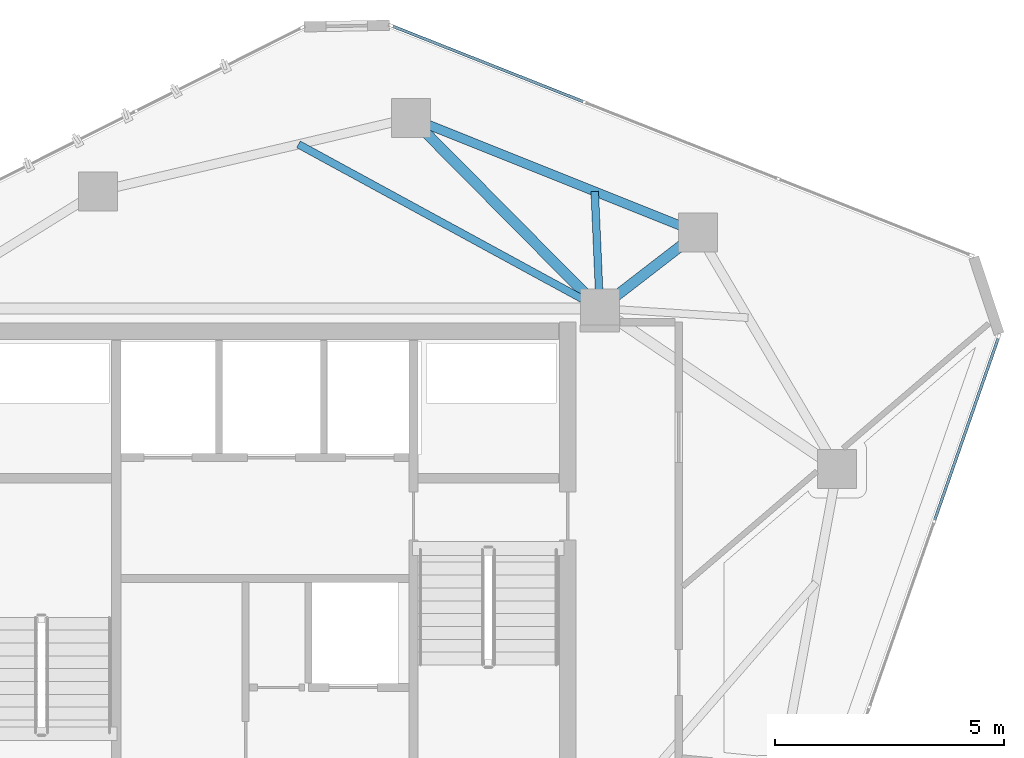
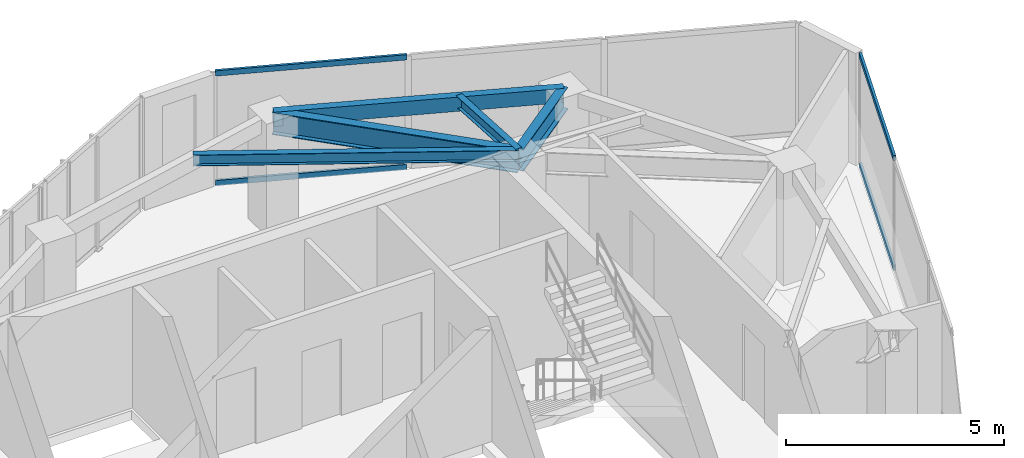
# One storey, part 13 of 21: 5 beams, 4 members, 2 elements without a shape of their own.
"""IFC4 building model written with IfcOpenShell, lengths in metres."""

from ifc_helpers import new_model, si_unit, direction, frame, origin, origin_2d, place, context, subcontext, project, spatial, hollow_rectangle, i_section, extrude, source, transform, mapped, material, layer, layer_set, material_profile, profile_set, type_object, type_shapes, element, aggregate, save


model = new_model("IFC4")

# Units and contexts
model_context = context("Model", 3, precision=1e-05, world=origin(), true_north=direction((0.0, 1.0)))
body_context = subcontext(model_context, "Body", "Model", "MODEL_VIEW")
ifc_project = project(units=[si_unit("LENGTHUNIT", "METRE"), si_unit("AREAUNIT", "SQUARE_METRE"), si_unit("VOLUMEUNIT", "CUBIC_METRE"), si_unit("PLANEANGLEUNIT", "RADIAN"), si_unit("MASSUNIT", "GRAM", prefix="KILO")], contexts=[model_context])

# Site, building, storey
site_placement = place(None, origin())
site = spatial("IfcSite", under=ifc_project, at=site_placement, CompositionType="ELEMENT")
building_placement = place(site_placement, origin())
building = spatial("IfcBuilding", under=site, at=building_placement, Name="Talar Marvaseh", CompositionType="ELEMENT")
storey_placement = place(building_placement, frame((0.0, 0.0, 264.60009765625)))
storey = spatial("IfcBuildingStorey", under=building, at=storey_placement, Name="L70", CompositionType="ELEMENT", Elevation=264.60009765625)

# Beams
ifc_material_1 = material(Name="Steel S355", Category="steel")
ifc_material_profile_1 = material_profile(ifc_material_1, hollow_rectangle(XDim=0.199951171875, YDim=0.39990234375, WallThickness=0.013916015625, at=origin_2d()), Name="RHS400x200x14")
ifc_profile_set_1 = profile_set([ifc_material_profile_1], Name="Steel S355")
beam_type_1 = type_object("IfcBeamType", Name="Zone 3 Perimeter Spandrel Beam RHS400x200x14", PredefinedType="SPANDREL", material=ifc_profile_set_1)
beam_1_placement = place(storey_placement, frame((29.18798828125, 41.052001953125, 2.93994140625), z_axis=(0.928426659475, -0.371515730456, 0.0), x_axis=(0.371515730456, 0.928426659475, 0.0)))
element("IfcBeam", 1, at=beam_1_placement, inside=storey, type_object=beam_type_1, Name="L70 Zone 3 Perimeter Spandrel Beam RHS400x200x14", PredefinedType="SPANDREL", context=body_context, shape_type="SweptSolid", body=[
    extrude(hollow_rectangle(XDim=0.199951171875, YDim=0.39990234375, WallThickness=0.013916015625, at=origin_2d()), origin(), (0.0, 0.0, 1.0), 6.73193359375),
])
ifc_material_profile_2 = material_profile(ifc_material_1, i_section(OverallWidth=0.166015625, OverallDepth=0.31298828125, WebThickness=0.006591796875, FlangeThickness=0.01123046875, at=origin_2d()), Name="W310x45")
ifc_profile_set_2 = profile_set([ifc_material_profile_2], Name="Steel S355")
beam_type_2 = type_object("IfcBeamType", Name="Zone 3 Secondary Floor Joist W310x45", PredefinedType="JOIST", material=ifc_profile_set_2)
beam_2_placement = place(storey_placement, frame((26.731689453125, 40.476806640625, 2.9833984375), z_axis=(0.878223458764, -0.478250516442, 0.0), x_axis=(0.478250516442, 0.878223458764, 0.0)))
element("IfcBeam", 2, at=beam_2_placement, inside=storey, type_object=beam_type_2, Name="L70 Zone 3 Secondary Floor Joist W310x45", PredefinedType="JOIST", context=body_context, shape_type="SweptSolid", body=[
    extrude(i_section(OverallWidth=0.166015625, OverallDepth=0.31298828125, WebThickness=0.006591796875, FlangeThickness=0.01123046875, at=origin_2d()), origin(), (0.0, 0.0, 1.0), 7.479248046875),
])
beam_3_placement = place(storey_placement, frame((33.18798828125, 39.451416015625, 2.9833984375), z_axis=(0.043876945448, -0.99903694309, 0.0), x_axis=(0.99903694309, 0.043876945448, 0.0)))
element("IfcBeam", 3, at=beam_3_placement, inside=storey, type_object=beam_type_2, Name="L70 Zone 3 Secondary Floor Joist W310x45", PredefinedType="JOIST", context=body_context, shape_type="SweptSolid", body=[
    extrude(i_section(OverallWidth=0.166015625, OverallDepth=0.31298828125, WebThickness=0.006591796875, FlangeThickness=0.01123046875, at=origin_2d()), origin(), (0.0, 0.0, 1.0), 2.553955078125),
])
ifc_material_profile_3 = material_profile(ifc_material_1, i_section(OverallWidth=0.22998046875, OverallDepth=0.616943359375, WebThickness=0.01318359375, FlangeThickness=0.022216796875, at=origin_2d()), Name="W610x140")
ifc_profile_set_3 = profile_set([ifc_material_profile_3], Name="Steel S355")
beam_type_3 = type_object("IfcBeamType", Name="Zone 4 Radial Floor Girder W610x140", PredefinedType="BEAM", material=ifc_profile_set_3)
beam_4_placement = place(storey_placement, frame((29.18798828125, 41.052001953125, 2.831298828125), z_axis=(0.703672658083, -0.710524306598, 0.0), x_axis=(0.710524306598, 0.703672658083, 0.0)))
element("IfcBeam", 4, at=beam_4_placement, inside=storey, type_object=beam_type_3, Name="L70 Zone 4 Radial Floor Girder W610x140", PredefinedType="BEAM", context=body_context, shape_type="SweptSolid", body=[
    extrude(i_section(OverallWidth=0.22998046875, OverallDepth=0.616943359375, WebThickness=0.01318359375, FlangeThickness=0.022216796875, at=origin_2d()), origin(), (0.0, 0.0, 1.0), 5.84375),
])
beam_5_placement = place(storey_placement, frame((35.43798828125, 38.551025390625, 2.831298828125), z_axis=(-0.791449946636, -0.611233982996, 0.0), x_axis=(0.611233982996, -0.791449946636, 0.0)))
element("IfcBeam", 5, at=beam_5_placement, inside=storey, type_object=beam_type_3, Name="L70 Zone 4 Radial Floor Girder W610x140", PredefinedType="BEAM", context=body_context, shape_type="SweptSolid", body=[
    extrude(i_section(OverallWidth=0.22998046875, OverallDepth=0.616943359375, WebThickness=0.01318359375, FlangeThickness=0.022216796875, at=origin_2d()), origin(), (0.0, 0.0, 1.0), 2.701416015625),
])

# Curtain wall, members
ifc_material_2 = material(Name="Architectural Aluminium", Category="aluminium")
ifc_layer = layer(ifc_material_2, 0.179931640625)
ifc_layer_set = layer_set([ifc_layer], Name="Architectural Aluminium")
curtain_wall_type = type_object("IfcCurtainWallType", Name="Unitised High-Wind Sky Curtain Wall Z4", PredefinedType="NOTDEFINED", material=ifc_layer_set)
curtain_wall_1_placement = place(storey_placement, origin())
curtain_wall_1 = element("IfcCurtainWall", 6, at=curtain_wall_1_placement, inside=storey, type_object=curtain_wall_type, Name="L70 Unitised High-Wind Sky Curtain Wall Z4", PredefinedType="NOTDEFINED")
ifc_material_profile_4 = material_profile(ifc_material_2, hollow_rectangle(XDim=0.06494140625, YDim=0.14990234375, WallThickness=0.00390625, at=origin_2d()), Name="RHS150x65x4")
ifc_profile_set_4 = profile_set([ifc_material_profile_4], Name="Architectural Aluminium")
member_type = type_object("IfcMemberType", Name="Unitised Curtain Wall Slim Transom RHS150x65x4", PredefinedType="USERDEFINED", material=ifc_profile_set_4)
shared_shape_1 = source(origin(), body_context, "Body", "SweptSolid", [
    extrude(hollow_rectangle(XDim=0.06494140625, YDim=0.14990234375, WallThickness=0.00390625, at=origin_2d()), origin(), (0.0, 0.0, 1.0), 4.447509765625),
])
member_1_placement = place(storey_placement, frame((28.795654296875, 43.046142578125, 0.032470703125), z_axis=(0.929799568305, -0.368066247815, 0.0), x_axis=(0.368066247815, 0.929799568305, 0.0)))
member_1 = element("IfcMember", 7, at=member_1_placement, type_object=member_type, Name="CW-Z4 transom 1.1", ObjectType="TRANSOM", PredefinedType="USERDEFINED", context=body_context, shape_type="MappedRepresentation", body=[
    mapped(shared_shape_1, transform((0.0, 0.0, 0.0), x_axis=(1.0, 0.0, 0.0), y_axis=(0.0, 1.0, 0.0), z_axis=(0.0, 0.0, 1.0), scale=1.0)),
])
member_2_placement = place(storey_placement, frame((28.795654296875, 43.046142578125, 3.107421875), z_axis=(0.929799568305, -0.368066247815, 0.0), x_axis=(0.368066247815, 0.929799568305, 0.0)))
member_2 = element("IfcMember", 8, at=member_2_placement, type_object=member_type, Name="CW-Z4 transom 1.2", ObjectType="TRANSOM", PredefinedType="USERDEFINED", context=body_context, shape_type="MappedRepresentation", body=[
    mapped(shared_shape_1, transform((0.0, 0.0, 0.0), x_axis=(1.0, 0.0, 0.0), y_axis=(0.0, 1.0, 0.0), z_axis=(0.0, 0.0, 1.0), scale=1.0)),
])
aggregate(curtain_wall_1, [member_1, member_2])

curtain_wall_2_placement = place(storey_placement, origin())
curtain_wall_2 = element("IfcCurtainWall", 9, at=curtain_wall_2_placement, inside=storey, type_object=curtain_wall_type, Name="L70 Unitised High-Wind Sky Curtain Wall Z4", PredefinedType="NOTDEFINED")
shared_shape_2 = source(origin(), body_context, "Body", "SweptSolid", [
    extrude(hollow_rectangle(XDim=0.06494140625, YDim=0.14990234375, WallThickness=0.00390625, at=origin_2d()), origin(), (0.0, 0.0, 1.0), 4.188720703125),
])
type_shapes(member_type, [shared_shape_1, shared_shape_2])
member_3_placement = place(storey_placement, frame((41.978759765625, 36.245849609375, 0.032470703125), z_axis=(-0.329885672879, -0.944020891098, 0.0), x_axis=(0.944020891098, -0.329885672879, 0.0)))
member_3 = element("IfcMember", 10, at=member_3_placement, type_object=member_type, Name="CW-Z4 transom 1.1", ObjectType="TRANSOM", PredefinedType="USERDEFINED", context=body_context, shape_type="MappedRepresentation", body=[
    mapped(shared_shape_2, transform((0.0, 0.0, 0.0), x_axis=(1.0, 0.0, 0.0), y_axis=(0.0, 1.0, 0.0), z_axis=(0.0, 0.0, 1.0), scale=1.0)),
])
member_4_placement = place(storey_placement, frame((41.978759765625, 36.245849609375, 3.107421875), z_axis=(-0.329885672879, -0.944020891098, 0.0), x_axis=(0.944020891098, -0.329885672879, 0.0)))
member_4 = element("IfcMember", 11, at=member_4_placement, type_object=member_type, Name="CW-Z4 transom 1.2", ObjectType="TRANSOM", PredefinedType="USERDEFINED", context=body_context, shape_type="MappedRepresentation", body=[
    mapped(shared_shape_2, transform((0.0, 0.0, 0.0), x_axis=(1.0, 0.0, 0.0), y_axis=(0.0, 1.0, 0.0), z_axis=(0.0, 0.0, 1.0), scale=1.0)),
])
aggregate(curtain_wall_2, [member_3, member_4])

save(model, "model.ifc")
